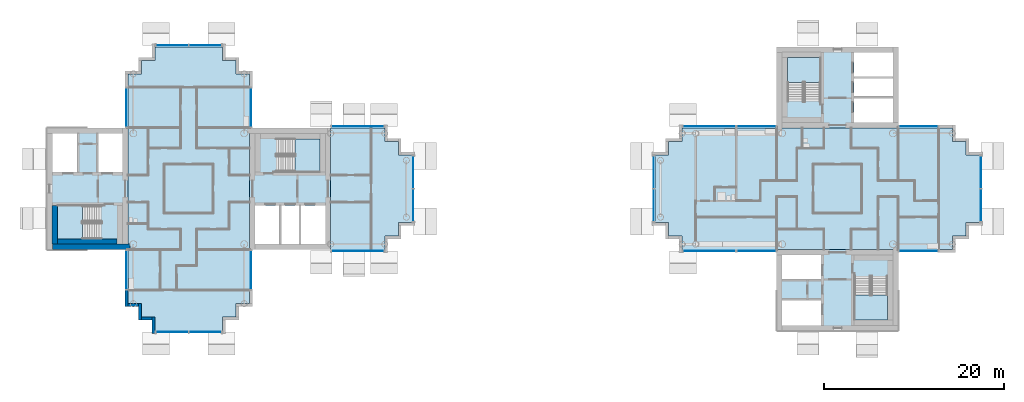
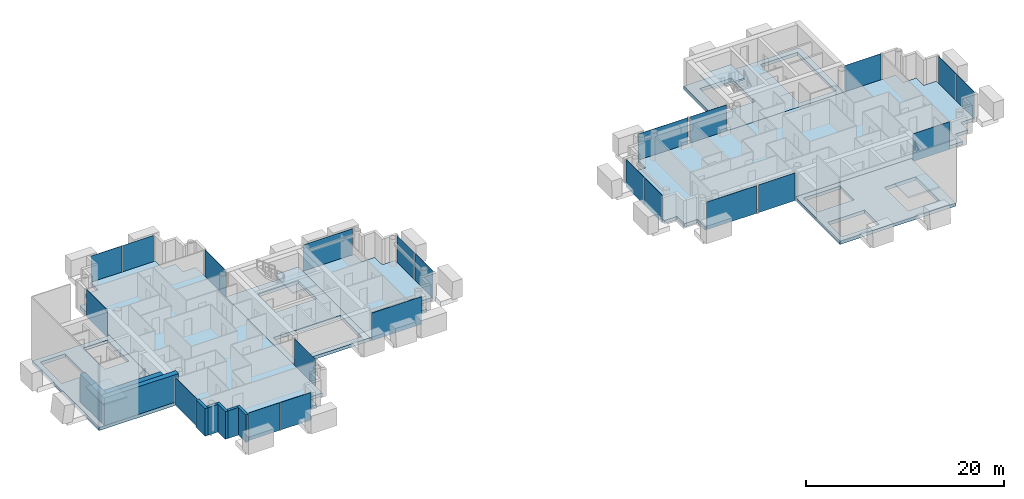
# One storey, part 5 of 18: 22 plates, 11 slabs, 8 walls, 21 elements without a shape of their own.
"""IFC4 building model written with IfcOpenShell, lengths in metres."""

from ifc_helpers import new_model, si_unit, direction, frame, frame_2d, origin, origin_2d, place, context, subcontext, project, spatial, polyline, rectangle, outline, extrude, material, layer, layer_set, type_object, element, aggregate, save


model = new_model("IFC4")

# Units and contexts
model_context = context("Model", 3, precision=1e-05, world=origin(), true_north=direction((0.0, 1.0)))
body_context = subcontext(model_context, "Body", "Model", "MODEL_VIEW")
ifc_project = project(units=[si_unit("LENGTHUNIT", "METRE"), si_unit("AREAUNIT", "SQUARE_METRE"), si_unit("VOLUMEUNIT", "CUBIC_METRE"), si_unit("PLANEANGLEUNIT", "RADIAN"), si_unit("MASSUNIT", "GRAM", prefix="KILO")], contexts=[model_context])

# Site, building, storey
site_placement = place(None, origin())
site = spatial("IfcSite", under=ifc_project, at=site_placement, CompositionType="ELEMENT")
building_placement = place(site_placement, origin())
building = spatial("IfcBuilding", under=site, at=building_placement, Name="Ipe Terrace Towers", CompositionType="ELEMENT")
storey_placement = place(building_placement, frame((0.0, 0.0, 230.0)))
storey = spatial("IfcBuildingStorey", under=building, at=storey_placement, Name="L64", CompositionType="ELEMENT", Elevation=230.0)

# Slabs
ifc_material_1 = material(Name="Concrete C30/37", Category="concrete")
ifc_layer_1 = layer(ifc_material_1, 0.39990234375)
ifc_layer_set_1 = layer_set([ifc_layer_1], Name="CORE FLOOR SLAB 400 C30-37")
slab_type_1 = type_object("IfcSlabType", Name="CORE FLOOR SLAB 400 C30-37", PredefinedType="FLOOR", material=ifc_layer_set_1)
slab_1_placement = place(storey_placement, frame((0.0, 0.0, -0.39990234375)))
element("IfcSlab", 1, at=slab_1_placement, inside=storey, type_object=slab_type_1, Name="Core floor T1-C1", PredefinedType="FLOOR", context=body_context, shape_type="SweptSolid", body=[
    extrude(outline(polyline([(-29.25, -6.75), (-29.25, 6.75), (-20.25, 6.75), (-20.25, -6.75), (-29.25, -6.75)]), holes=[polyline([(-28.64990234375, -6.14990234375), (-20.85009765625, -6.14990234375), (-20.85009765625, -1.85009765625), (-28.64990234375, -1.85009765625), (-28.64990234375, -6.14990234375)]), polyline([(-26.199951171875, 5.550048828125), (-26.199951171875, 1.89990234375), (-21.449951171875, 1.89990234375), (-21.449951171875, 5.550048828125), (-26.199951171875, 5.550048828125)])]), origin(), (0.0, 0.0, 1.0), 0.39990234375),
])
slab_2_placement = place(storey_placement, frame((0.0, 0.0, -0.39990234375)))
element("IfcSlab", 2, at=slab_2_placement, inside=storey, type_object=slab_type_1, Name="Core floor T1-C2", PredefinedType="FLOOR", context=body_context, shape_type="SweptSolid", body=[
    extrude(outline(polyline([(-51.75, -6.75), (-51.75, 6.75), (-42.75, 6.75), (-42.75, -6.75), (-51.75, -6.75)]), holes=[polyline([(-45.800048828125, -1.89990234375), (-50.550048828125, -1.89990234375), (-50.550048828125, -5.550048828125), (-45.800048828125, -5.550048828125), (-45.800048828125, -1.89990234375)]), polyline([(-48.25, 1.85009765625), (-48.25, 6.14990234375), (-51.14990234375, 6.14990234375), (-51.14990234375, 1.85009765625), (-48.25, 1.85009765625)]), polyline([(-43.35009765625, 1.85009765625), (-43.35009765625, 6.14990234375), (-46.14990234375, 6.14990234375), (-46.14990234375, 1.85009765625), (-43.35009765625, 1.85009765625)])]), origin(), (0.0, 0.0, 1.0), 0.39990234375),
])
slab_3_placement = place(storey_placement, frame((0.0, 0.0, -0.39990234375)))
element("IfcSlab", 3, at=slab_3_placement, inside=storey, type_object=slab_type_1, Name="Core floor T2-C1", PredefinedType="FLOOR", context=body_context, shape_type="SweptSolid", body=[
    extrude(outline(polyline([(29.25, 6.75), (29.25, 15.75), (42.75, 15.75), (42.75, 6.75), (29.25, 6.75)]), holes=[polyline([(42.14990234375, 7.35009765625), (42.14990234375, 15.14990234375), (37.85009765625, 15.14990234375), (37.85009765625, 7.35009765625), (42.14990234375, 7.35009765625)]), polyline([(30.449951171875, 9.800048828125), (34.10009765625, 9.800048828125), (34.10009765625, 14.550048828125), (30.449951171875, 14.550048828125), (30.449951171875, 9.800048828125)])]), origin(), (0.0, 0.0, 1.0), 0.39990234375),
])
slab_4_placement = place(storey_placement, frame((0.0, 0.0, -0.39990234375)))
element("IfcSlab", 4, at=slab_4_placement, inside=storey, type_object=slab_type_1, Name="Core floor T2-C2", PredefinedType="FLOOR", context=body_context, shape_type="SweptSolid", body=[
    extrude(outline(polyline([(29.25, -15.75), (29.25, -6.75), (42.75, -6.75), (42.75, -15.75), (29.25, -15.75)]), holes=[polyline([(29.85009765625, -12.25), (29.85009765625, -15.14990234375), (34.14990234375, -15.14990234375), (34.14990234375, -12.25), (29.85009765625, -12.25)]), polyline([(41.550048828125, -9.800048828125), (37.89990234375, -9.800048828125), (37.89990234375, -14.550048828125), (41.550048828125, -14.550048828125), (41.550048828125, -9.800048828125)]), polyline([(34.14990234375, -7.35009765625), (29.85009765625, -7.35009765625), (29.85009765625, -10.14990234375), (34.14990234375, -10.14990234375), (34.14990234375, -7.35009765625)])]), origin(), (0.0, 0.0, 1.0), 0.39990234375),
])

# Stair, slab
ifc_material_2 = material(Name="Concrete C30/37", Category="concrete")
stair_type = type_object("IfcStairType", Name="Protected exit stair", PredefinedType="HALF_TURN_STAIR", material=ifc_material_2)
stair_1_placement = place(storey_placement, origin())
stair_1 = element("IfcStair", 5, at=stair_1_placement, inside=storey, type_object=stair_type, Name="L64 Exit stair T1-C1", PredefinedType="HALF_TURN_STAIR")
ifc_material_3 = material(Name="Concrete C30/37", Category="concrete")
ifc_layer_2 = layer(ifc_material_3, 0.199951171875)
ifc_layer_set_2 = layer_set([ifc_layer_2], Name="Exit stair landing 200")
slab_type_2 = type_object("IfcSlabType", Name="Exit stair landing 200", PredefinedType="LANDING", material=ifc_layer_set_2)
slab_5_placement = place(storey_placement, frame((0.0, 0.0, 1.5)))
slab_5 = element("IfcSlab", 6, at=slab_5_placement, type_object=slab_type_2, Name="T1-ST1 landing 1", PredefinedType="LANDING", context=body_context, shape_type="SweptSolid", body=[
    extrude(outline(polyline([(-24.219970703125, 1.89990234375), (-21.449951171875, 1.89990234375), (-21.449951171875, 5.550048828125), (-24.219970703125, 5.550048828125), (-24.219970703125, 1.89990234375)])), origin(), (0.0, 0.0, 1.0), 0.199951171875),
])
aggregate(stair_1, [slab_5])

stair_2_placement = place(storey_placement, origin())
stair_2 = element("IfcStair", 7, at=stair_2_placement, inside=storey, type_object=stair_type, Name="L64 Exit stair T1-C2", PredefinedType="HALF_TURN_STAIR")
slab_6_placement = place(storey_placement, frame((0.0, 0.0, 1.5)))
slab_6 = element("IfcSlab", 8, at=slab_6_placement, type_object=slab_type_2, Name="T1-ST2 landing 1", PredefinedType="LANDING", context=body_context, shape_type="SweptSolid", body=[
    extrude(outline(polyline([(-47.780029296875, -1.89990234375), (-50.550048828125, -1.89990234375), (-50.550048828125, -5.550048828125), (-47.780029296875, -5.550048828125), (-47.780029296875, -1.89990234375)])), origin(), (0.0, 0.0, 1.0), 0.199951171875),
])
aggregate(stair_2, [slab_6])

stair_3_placement = place(storey_placement, origin())
stair_3 = element("IfcStair", 9, at=stair_3_placement, inside=storey, type_object=stair_type, Name="L64 Exit stair T2-C1", PredefinedType="HALF_TURN_STAIR")
slab_7_placement = place(storey_placement, frame((0.0, 0.0, 1.5)))
slab_7 = element("IfcSlab", 10, at=slab_7_placement, type_object=slab_type_2, Name="T2-ST1 landing 1", PredefinedType="LANDING", context=body_context, shape_type="SweptSolid", body=[
    extrude(outline(polyline([(34.10009765625, 11.780029296875), (34.10009765625, 14.550048828125), (30.449951171875, 14.550048828125), (30.449951171875, 11.780029296875), (34.10009765625, 11.780029296875)])), origin(), (0.0, 0.0, 1.0), 0.199951171875),
])
aggregate(stair_3, [slab_7])

stair_4_placement = place(storey_placement, origin())
stair_4 = element("IfcStair", 11, at=stair_4_placement, inside=storey, type_object=stair_type, Name="L64 Exit stair T2-C2", PredefinedType="HALF_TURN_STAIR")
slab_8_placement = place(storey_placement, frame((0.0, 0.0, 1.5)))
slab_8 = element("IfcSlab", 12, at=slab_8_placement, type_object=slab_type_2, Name="T2-ST2 landing 1", PredefinedType="LANDING", context=body_context, shape_type="SweptSolid", body=[
    extrude(outline(polyline([(37.89990234375, -11.780029296875), (37.89990234375, -14.550048828125), (41.550048828125, -14.550048828125), (41.550048828125, -11.780029296875), (37.89990234375, -11.780029296875)])), origin(), (0.0, 0.0, 1.0), 0.199951171875),
])
aggregate(stair_4, [slab_8])

# Slabs
ifc_material_4 = material(Name="Concrete C40/50", Category="concrete")
ifc_layer_3 = layer(ifc_material_4, 0.39990234375)
ifc_layer_set_3 = layer_set([ifc_layer_3], Name="FLAT PLATE SLAB 400 C40-50")
slab_type_3 = type_object("IfcSlabType", Name="FLAT PLATE SLAB 400 C40-50", PredefinedType="FLOOR", material=ifc_layer_set_3)
slab_9_placement = place(storey_placement, frame((0.0, 0.0, -0.39990234375)))
element("IfcSlab", 13, at=slab_9_placement, inside=storey, type_object=slab_type_3, Name="Slab T1-FS-Z41", PredefinedType="FLOOR", context=body_context, shape_type="SweptSolid", body=[
    extrude(outline(polyline([(-30.75, -12.75), (-30.75, -14.25), (-32.25, -14.25), (-32.25, -15.75), (-39.75, -15.75), (-39.75, -14.25), (-41.25, -14.25), (-41.25, -12.75), (-42.75, -12.75), (-42.75, -6.75), (-42.75, 6.75), (-42.75, 12.75), (-41.25, 12.75), (-41.25, 14.25), (-39.75, 14.25), (-39.75, 15.75), (-32.25, 15.75), (-32.25, 14.25), (-30.75, 14.25), (-30.75, 12.75), (-29.25, 12.75), (-29.25, 6.75), (-29.25, -6.75), (-29.25, -12.75), (-30.75, -12.75)])), origin(), (0.0, 0.0, 1.0), 0.39990234375),
])
slab_10_placement = place(storey_placement, frame((0.0, 0.0, -0.39990234375)))
element("IfcSlab", 14, at=slab_10_placement, inside=storey, type_object=slab_type_3, Name="Slab T1-FS-Z42", PredefinedType="FLOOR", context=body_context, shape_type="SweptSolid", body=[
    extrude(outline(polyline([(-14.25, 5.25), (-12.75, 5.25), (-12.75, 3.75), (-11.25, 3.75), (-11.25, -3.75), (-12.75, -3.75), (-12.75, -5.25), (-14.25, -5.25), (-14.25, -6.75), (-20.25, -6.75), (-20.25, 6.75), (-14.25, 6.75), (-14.25, 5.25)])), origin(), (0.0, 0.0, 1.0), 0.39990234375),
])
slab_11_placement = place(storey_placement, frame((0.0, 0.0, -0.39990234375)))
element("IfcSlab", 15, at=slab_11_placement, inside=storey, type_object=slab_type_3, Name="Slab T2-FS-Z41", PredefinedType="FLOOR", context=body_context, shape_type="SweptSolid", body=[
    extrude(outline(polyline([(48.75, 5.25), (50.25, 5.25), (50.25, 3.75), (51.75, 3.75), (51.75, -3.75), (50.25, -3.75), (50.25, -5.25), (48.75, -5.25), (48.75, -6.75), (42.75, -6.75), (29.25, -6.75), (18.75, -6.75), (18.75, -5.25), (17.25, -5.25), (17.25, -3.75), (15.75, -3.75), (15.75, 3.75), (17.25, 3.75), (17.25, 5.25), (18.75, 5.25), (18.75, 6.75), (29.25, 6.75), (42.75, 6.75), (48.75, 6.75), (48.75, 5.25)])), origin(), (0.0, 0.0, 1.0), 0.39990234375),
])

# Curtain wall, plate
ifc_material_5 = material(Name="Aluminium alloy 6063-T6", Category="aluminium")
ifc_layer_4 = layer(ifc_material_5, 0.320068359375)
ifc_layer_set_4 = layer_set([ifc_layer_4], Name="TOWER UNITISED CURTAIN WALL")
curtain_wall_type = type_object("IfcCurtainWallType", Name="TOWER UNITISED CURTAIN WALL", PredefinedType="NOTDEFINED", material=ifc_layer_set_4)
curtain_wall_1_placement = place(storey_placement, origin())
curtain_wall_1 = element("IfcCurtainWall", 16, at=curtain_wall_1_placement, inside=storey, type_object=curtain_wall_type, Name="T1-CW-L64-02a curtain wall", PredefinedType="NOTDEFINED")
ifc_material_6 = material(Name="Glass, clear laminated", Category="glass")
ifc_layer_5 = layer(ifc_material_6, 0.031982421875)
ifc_layer_set_5 = layer_set([ifc_layer_5], Name="TOWER UNITISED GLASS PANEL 32")
plate_type = type_object("IfcPlateType", Name="TOWER UNITISED GLASS PANEL 32", PredefinedType="CURTAIN_PANEL", material=ifc_layer_set_5)
plate_1_placement = place(storey_placement, frame((-42.909912109375, -9.0, -0.300048828125), z_axis=(0.0, 0.0, 1.0), x_axis=(0.0, -1.0, 0.0)))
plate_1 = element("IfcPlate", 17, at=plate_1_placement, type_object=plate_type, Name="T1-CW-L64-02a panel 1", PredefinedType="CURTAIN_PANEL", context=body_context, shape_type="SweptSolid", body=[
    extrude(rectangle(XDim=4.260009765625, YDim=0.031982421875, at=origin_2d()), origin(), (0.0, 0.0, 1.0), 3.39990234375),
])
aggregate(curtain_wall_1, [plate_1])

# Curtain wall, plates
curtain_wall_2_placement = place(storey_placement, origin())
curtain_wall_2 = element("IfcCurtainWall", 18, at=curtain_wall_2_placement, inside=storey, type_object=curtain_wall_type, Name="T1-CW-L64-08a curtain wall", PredefinedType="NOTDEFINED")
plate_2_placement = place(storey_placement, frame((-37.831298828125, -15.909912109375, -0.300048828125), z_axis=(0.0, 0.0, 1.0), x_axis=(1.0, 0.0, 0.0)))
plate_2 = element("IfcPlate", 19, at=plate_2_placement, type_object=plate_type, Name="T1-CW-L64-08a panel 1", PredefinedType="CURTAIN_PANEL", context=body_context, shape_type="SweptSolid", body=[
    extrude(rectangle(XDim=3.597412109375, YDim=0.031982421875, at=origin_2d()), origin(), (0.0, 0.0, 1.0), 3.39990234375),
])
plate_3_placement = place(storey_placement, frame((-34.168701171875, -15.909912109375, -0.300048828125), z_axis=(0.0, 0.0, 1.0), x_axis=(1.0, 0.0, 0.0)))
plate_3 = element("IfcPlate", 20, at=plate_3_placement, type_object=plate_type, Name="T1-CW-L64-08a panel 2", PredefinedType="CURTAIN_PANEL", context=body_context, shape_type="SweptSolid", body=[
    extrude(rectangle(XDim=3.597412109375, YDim=0.031982421875, at=origin_2d()), origin(), (0.0, 0.0, 1.0), 3.39990234375),
])
aggregate(curtain_wall_2, [plate_2, plate_3])

# Curtain wall, plate
curtain_wall_3_placement = place(storey_placement, origin())
curtain_wall_3 = element("IfcCurtainWall", 21, at=curtain_wall_3_placement, inside=storey, type_object=curtain_wall_type, Name="T1-CW-L64-14a curtain wall", PredefinedType="NOTDEFINED")
plate_4_placement = place(storey_placement, frame((-29.090087890625, -9.0, -0.300048828125), z_axis=(0.0, 0.0, 1.0), x_axis=(0.0, 1.0, 0.0)))
plate_4 = element("IfcPlate", 22, at=plate_4_placement, type_object=plate_type, Name="T1-CW-L64-14a panel 1", PredefinedType="CURTAIN_PANEL", context=body_context, shape_type="SweptSolid", body=[
    extrude(rectangle(XDim=4.260009765625, YDim=0.031982421875, at=origin_2d()), origin(), (0.0, 0.0, 1.0), 3.39990234375),
])
aggregate(curtain_wall_3, [plate_4])

curtain_wall_4_placement = place(storey_placement, origin())
curtain_wall_4 = element("IfcCurtainWall", 23, at=curtain_wall_4_placement, inside=storey, type_object=curtain_wall_type, Name="T1-CW-L64-16b curtain wall", PredefinedType="NOTDEFINED")
plate_5_placement = place(storey_placement, frame((-17.24951171875, -6.909912109375, -0.300048828125), z_axis=(0.0, 0.0, 1.0), x_axis=(1.0, 0.0, 0.0)))
plate_5 = element("IfcPlate", 24, at=plate_5_placement, type_object=plate_type, Name="T1-CW-L64-16b panel 1", PredefinedType="CURTAIN_PANEL", context=body_context, shape_type="SweptSolid", body=[
    extrude(rectangle(XDim=5.759033203125, YDim=0.031982421875, at=origin_2d()), origin(), (0.0, 0.0, 1.0), 3.39990234375),
])
aggregate(curtain_wall_4, [plate_5])

# Curtain wall, plates
curtain_wall_5_placement = place(storey_placement, origin())
curtain_wall_5 = element("IfcCurtainWall", 25, at=curtain_wall_5_placement, inside=storey, type_object=curtain_wall_type, Name="T1-CW-L64-21a curtain wall", PredefinedType="NOTDEFINED")
plate_6_placement = place(storey_placement, frame((-11.090087890625, -1.831298828125, -0.300048828125), z_axis=(0.0, 0.0, 1.0), x_axis=(0.0, 1.0, 0.0)))
plate_6 = element("IfcPlate", 26, at=plate_6_placement, type_object=plate_type, Name="T1-CW-L64-21a panel 1", PredefinedType="CURTAIN_PANEL", context=body_context, shape_type="SweptSolid", body=[
    extrude(rectangle(XDim=3.597412109375, YDim=0.031982421875, at=origin_2d()), origin(), (0.0, 0.0, 1.0), 3.39990234375),
])
plate_7_placement = place(storey_placement, frame((-11.090087890625, 1.831298828125, -0.300048828125), z_axis=(0.0, 0.0, 1.0), x_axis=(0.0, 1.0, 0.0)))
plate_7 = element("IfcPlate", 27, at=plate_7_placement, type_object=plate_type, Name="T1-CW-L64-21a panel 2", PredefinedType="CURTAIN_PANEL", context=body_context, shape_type="SweptSolid", body=[
    extrude(rectangle(XDim=3.597412109375, YDim=0.031982421875, at=origin_2d()), origin(), (0.0, 0.0, 1.0), 3.39990234375),
])
aggregate(curtain_wall_5, [plate_6, plate_7])

# Curtain wall, plate
curtain_wall_6_placement = place(storey_placement, origin())
curtain_wall_6 = element("IfcCurtainWall", 28, at=curtain_wall_6_placement, inside=storey, type_object=curtain_wall_type, Name="T1-CW-L64-26a curtain wall", PredefinedType="NOTDEFINED")
plate_8_placement = place(storey_placement, frame((-17.24951171875, 6.909912109375, -0.300048828125), z_axis=(0.0, 0.0, 1.0), x_axis=(-1.0, 0.0, 0.0)))
plate_8 = element("IfcPlate", 29, at=plate_8_placement, type_object=plate_type, Name="T1-CW-L64-26a panel 1", PredefinedType="CURTAIN_PANEL", context=body_context, shape_type="SweptSolid", body=[
    extrude(rectangle(XDim=5.759033203125, YDim=0.031982421875, at=origin_2d()), origin(), (0.0, 0.0, 1.0), 3.39990234375),
])
aggregate(curtain_wall_6, [plate_8])

curtain_wall_7_placement = place(storey_placement, origin())
curtain_wall_7 = element("IfcCurtainWall", 30, at=curtain_wall_7_placement, inside=storey, type_object=curtain_wall_type, Name="T1-CW-L64-28a curtain wall", PredefinedType="NOTDEFINED")
plate_9_placement = place(storey_placement, frame((-29.090087890625, 9.0, -0.300048828125), z_axis=(0.0, 0.0, 1.0), x_axis=(0.0, 1.0, 0.0)))
plate_9 = element("IfcPlate", 31, at=plate_9_placement, type_object=plate_type, Name="T1-CW-L64-28a panel 1", PredefinedType="CURTAIN_PANEL", context=body_context, shape_type="SweptSolid", body=[
    extrude(rectangle(XDim=4.260009765625, YDim=0.031982421875, at=origin_2d()), origin(), (0.0, 0.0, 1.0), 3.39990234375),
])
aggregate(curtain_wall_7, [plate_9])

# Curtain wall, plates
curtain_wall_8_placement = place(storey_placement, origin())
curtain_wall_8 = element("IfcCurtainWall", 32, at=curtain_wall_8_placement, inside=storey, type_object=curtain_wall_type, Name="T1-CW-L64-34a curtain wall", PredefinedType="NOTDEFINED")
plate_10_placement = place(storey_placement, frame((-34.168701171875, 15.909912109375, -0.300048828125), z_axis=(0.0, 0.0, 1.0), x_axis=(-1.0, 0.0, 0.0)))
plate_10 = element("IfcPlate", 33, at=plate_10_placement, type_object=plate_type, Name="T1-CW-L64-34a panel 1", PredefinedType="CURTAIN_PANEL", context=body_context, shape_type="SweptSolid", body=[
    extrude(rectangle(XDim=3.597412109375, YDim=0.031982421875, at=origin_2d()), origin(), (0.0, 0.0, 1.0), 3.39990234375),
])
plate_11_placement = place(storey_placement, frame((-37.831298828125, 15.909912109375, -0.300048828125), z_axis=(0.0, 0.0, 1.0), x_axis=(-1.0, 0.0, 0.0)))
plate_11 = element("IfcPlate", 34, at=plate_11_placement, type_object=plate_type, Name="T1-CW-L64-34a panel 2", PredefinedType="CURTAIN_PANEL", context=body_context, shape_type="SweptSolid", body=[
    extrude(rectangle(XDim=3.597412109375, YDim=0.031982421875, at=origin_2d()), origin(), (0.0, 0.0, 1.0), 3.39990234375),
])
aggregate(curtain_wall_8, [plate_10, plate_11])

# Curtain wall, plate
curtain_wall_9_placement = place(storey_placement, origin())
curtain_wall_9 = element("IfcCurtainWall", 35, at=curtain_wall_9_placement, inside=storey, type_object=curtain_wall_type, Name="T1-CW-L64-40a curtain wall", PredefinedType="NOTDEFINED")
plate_12_placement = place(storey_placement, frame((-42.909912109375, 9.0, -0.300048828125), z_axis=(0.0, 0.0, 1.0), x_axis=(0.0, -1.0, 0.0)))
plate_12 = element("IfcPlate", 36, at=plate_12_placement, type_object=plate_type, Name="T1-CW-L64-40a panel 1", PredefinedType="CURTAIN_PANEL", context=body_context, shape_type="SweptSolid", body=[
    extrude(rectangle(XDim=4.260009765625, YDim=0.031982421875, at=origin_2d()), origin(), (0.0, 0.0, 1.0), 3.39990234375),
])
aggregate(curtain_wall_9, [plate_12])

curtain_wall_10_placement = place(storey_placement, origin())
curtain_wall_10 = element("IfcCurtainWall", 37, at=curtain_wall_10_placement, inside=storey, type_object=curtain_wall_type, Name="T2-CW-L64-02a curtain wall", PredefinedType="NOTDEFINED")
plate_13_placement = place(storey_placement, frame((45.0, -6.909912109375, -0.300048828125), z_axis=(0.0, 0.0, 1.0), x_axis=(1.0, 0.0, 0.0)))
plate_13 = element("IfcPlate", 38, at=plate_13_placement, type_object=plate_type, Name="T2-CW-L64-02a panel 1", PredefinedType="CURTAIN_PANEL", context=body_context, shape_type="SweptSolid", body=[
    extrude(rectangle(XDim=4.260009765625, YDim=0.031982421875, at=origin_2d()), origin(), (0.0, 0.0, 1.0), 3.39990234375),
])
aggregate(curtain_wall_10, [plate_13])

# Curtain wall, plates
curtain_wall_11_placement = place(storey_placement, origin())
curtain_wall_11 = element("IfcCurtainWall", 39, at=curtain_wall_11_placement, inside=storey, type_object=curtain_wall_type, Name="T2-CW-L64-08a curtain wall", PredefinedType="NOTDEFINED")
plate_14_placement = place(storey_placement, frame((51.909912109375, -1.831298828125, -0.300048828125), z_axis=(0.0, 0.0, 1.0), x_axis=(0.0, 1.0, 0.0)))
plate_14 = element("IfcPlate", 40, at=plate_14_placement, type_object=plate_type, Name="T2-CW-L64-08a panel 1", PredefinedType="CURTAIN_PANEL", context=body_context, shape_type="SweptSolid", body=[
    extrude(rectangle(XDim=3.597412109375, YDim=0.031982421875, at=origin_2d()), origin(), (0.0, 0.0, 1.0), 3.39990234375),
])
plate_15_placement = place(storey_placement, frame((51.909912109375, 1.831298828125, -0.300048828125), z_axis=(0.0, 0.0, 1.0), x_axis=(0.0, 1.0, 0.0)))
plate_15 = element("IfcPlate", 41, at=plate_15_placement, type_object=plate_type, Name="T2-CW-L64-08a panel 2", PredefinedType="CURTAIN_PANEL", context=body_context, shape_type="SweptSolid", body=[
    extrude(rectangle(XDim=3.597412109375, YDim=0.031982421875, at=origin_2d()), origin(), (0.0, 0.0, 1.0), 3.39990234375),
])
aggregate(curtain_wall_11, [plate_14, plate_15])

# Curtain wall, plate
curtain_wall_12_placement = place(storey_placement, origin())
curtain_wall_12 = element("IfcCurtainWall", 42, at=curtain_wall_12_placement, inside=storey, type_object=curtain_wall_type, Name="T2-CW-L64-14a curtain wall", PredefinedType="NOTDEFINED")
plate_16_placement = place(storey_placement, frame((45.0, 6.909912109375, -0.300048828125), z_axis=(0.0, 0.0, 1.0), x_axis=(-1.0, 0.0, 0.0)))
plate_16 = element("IfcPlate", 43, at=plate_16_placement, type_object=plate_type, Name="T2-CW-L64-14a panel 1", PredefinedType="CURTAIN_PANEL", context=body_context, shape_type="SweptSolid", body=[
    extrude(rectangle(XDim=4.260009765625, YDim=0.031982421875, at=origin_2d()), origin(), (0.0, 0.0, 1.0), 3.39990234375),
])
aggregate(curtain_wall_12, [plate_16])

curtain_wall_13_placement = place(storey_placement, origin())
curtain_wall_13 = element("IfcCurtainWall", 44, at=curtain_wall_13_placement, inside=storey, type_object=curtain_wall_type, Name="T2-CW-L64-20a curtain wall", PredefinedType="NOTDEFINED")
plate_17_placement = place(storey_placement, frame((27.0, 6.909912109375, -0.300048828125), z_axis=(0.0, 0.0, 1.0), x_axis=(-1.0, 0.0, 0.0)))
plate_17 = element("IfcPlate", 45, at=plate_17_placement, type_object=plate_type, Name="T2-CW-L64-20a panel 1", PredefinedType="CURTAIN_PANEL", context=body_context, shape_type="SweptSolid", body=[
    extrude(rectangle(XDim=4.260009765625, YDim=0.031982421875, at=origin_2d()), origin(), (0.0, 0.0, 1.0), 3.39990234375),
])
aggregate(curtain_wall_13, [plate_17])

curtain_wall_14_placement = place(storey_placement, origin())
curtain_wall_14 = element("IfcCurtainWall", 46, at=curtain_wall_14_placement, inside=storey, type_object=curtain_wall_type, Name="T2-CW-L64-21a curtain wall", PredefinedType="NOTDEFINED")
plate_18_placement = place(storey_placement, frame((21.75, 6.909912109375, -0.300048828125), z_axis=(0.0, 0.0, 1.0), x_axis=(-1.0, 0.0, 0.0)))
plate_18 = element("IfcPlate", 47, at=plate_18_placement, type_object=plate_type, Name="T2-CW-L64-21a panel 1", PredefinedType="CURTAIN_PANEL", context=body_context, shape_type="SweptSolid", body=[
    extrude(rectangle(XDim=5.760009765625, YDim=0.031982421875, at=origin_2d()), origin(), (0.0, 0.0, 1.0), 3.39990234375),
])
aggregate(curtain_wall_14, [plate_18])

# Curtain wall, plates
curtain_wall_15_placement = place(storey_placement, origin())
curtain_wall_15 = element("IfcCurtainWall", 48, at=curtain_wall_15_placement, inside=storey, type_object=curtain_wall_type, Name="T2-CW-L64-26a curtain wall", PredefinedType="NOTDEFINED")
plate_19_placement = place(storey_placement, frame((15.590087890625, 1.831298828125, -0.300048828125), z_axis=(0.0, 0.0, 1.0), x_axis=(0.0, -1.0, 0.0)))
plate_19 = element("IfcPlate", 49, at=plate_19_placement, type_object=plate_type, Name="T2-CW-L64-26a panel 1", PredefinedType="CURTAIN_PANEL", context=body_context, shape_type="SweptSolid", body=[
    extrude(rectangle(XDim=3.597412109375, YDim=0.031982421875, at=origin_2d()), origin(), (0.0, 0.0, 1.0), 3.39990234375),
])
plate_20_placement = place(storey_placement, frame((15.590087890625, -1.831298828125, -0.300048828125), z_axis=(0.0, 0.0, 1.0), x_axis=(0.0, -1.0, 0.0)))
plate_20 = element("IfcPlate", 50, at=plate_20_placement, type_object=plate_type, Name="T2-CW-L64-26a panel 2", PredefinedType="CURTAIN_PANEL", context=body_context, shape_type="SweptSolid", body=[
    extrude(rectangle(XDim=3.597412109375, YDim=0.031982421875, at=origin_2d()), origin(), (0.0, 0.0, 1.0), 3.39990234375),
])
aggregate(curtain_wall_15, [plate_19, plate_20])

# Curtain wall, plate
curtain_wall_16_placement = place(storey_placement, origin())
curtain_wall_16 = element("IfcCurtainWall", 51, at=curtain_wall_16_placement, inside=storey, type_object=curtain_wall_type, Name="T2-CW-L64-31a curtain wall", PredefinedType="NOTDEFINED")
plate_21_placement = place(storey_placement, frame((21.75, -6.909912109375, -0.300048828125), z_axis=(0.0, 0.0, 1.0), x_axis=(1.0, 0.0, 0.0)))
plate_21 = element("IfcPlate", 52, at=plate_21_placement, type_object=plate_type, Name="T2-CW-L64-31a panel 1", PredefinedType="CURTAIN_PANEL", context=body_context, shape_type="SweptSolid", body=[
    extrude(rectangle(XDim=5.760009765625, YDim=0.031982421875, at=origin_2d()), origin(), (0.0, 0.0, 1.0), 3.39990234375),
])
aggregate(curtain_wall_16, [plate_21])

curtain_wall_17_placement = place(storey_placement, origin())
curtain_wall_17 = element("IfcCurtainWall", 53, at=curtain_wall_17_placement, inside=storey, type_object=curtain_wall_type, Name="T2-CW-L64-32a curtain wall", PredefinedType="NOTDEFINED")
plate_22_placement = place(storey_placement, frame((27.0, -6.909912109375, -0.300048828125), z_axis=(0.0, 0.0, 1.0), x_axis=(1.0, 0.0, 0.0)))
plate_22 = element("IfcPlate", 54, at=plate_22_placement, type_object=plate_type, Name="T2-CW-L64-32a panel 1", PredefinedType="CURTAIN_PANEL", context=body_context, shape_type="SweptSolid", body=[
    extrude(rectangle(XDim=4.260009765625, YDim=0.031982421875, at=origin_2d()), origin(), (0.0, 0.0, 1.0), 3.39990234375),
])
aggregate(curtain_wall_17, [plate_22])

# Walls
ifc_material_7 = material(Name="Concrete C40/50 with buff precast cladding", Category="concrete")
ifc_layer_6 = layer(ifc_material_7, 0.320068359375)
ifc_layer_set_6 = layer_set([ifc_layer_6], Name="BUFF CLADDING WALL 320")
wall_type_1 = type_object("IfcWallType", Name="BUFF CLADDING WALL 320", PredefinedType="STANDARD", material=ifc_layer_set_6)
wall_1_placement = place(storey_placement, frame((-42.909912109375, -11.25, -0.300048828125), z_axis=(0.0, 0.0, 1.0), x_axis=(0.0, -1.0, 0.0)))
element("IfcWall", 55, at=wall_1_placement, inside=storey, type_object=wall_type_1, Name="T1-W-L64-03a wall", PredefinedType="STANDARD", context=body_context, shape_type="SweptSolid", body=[
    extrude(rectangle(XDim=1.820068359375, YDim=0.320068359375, at=frame_2d((0.91015625, 0.0))), origin(), (0.0, 0.0, 1.0), 3.400146484375),
])
wall_2_placement = place(storey_placement, frame((-42.75, -12.909912109375, -0.300048828125), z_axis=(0.0, 0.0, 1.0), x_axis=(1.0, 0.0, 0.0)))
element("IfcWall", 56, at=wall_2_placement, inside=storey, type_object=wall_type_1, Name="T1-W-L64-04a wall", PredefinedType="STANDARD", context=body_context, shape_type="SweptSolid", body=[
    extrude(rectangle(XDim=1.179931640625, YDim=0.320068359375, at=frame_2d((0.58984375, 0.0))), origin(), (0.0, 0.0, 1.0), 3.400146484375),
])
wall_3_placement = place(storey_placement, frame((-41.409912109375, -12.75, -0.300048828125), z_axis=(0.0, 0.0, 1.0), x_axis=(0.0, -1.0, 0.0)))
element("IfcWall", 57, at=wall_3_placement, inside=storey, type_object=wall_type_1, Name="T1-W-L64-05a wall", PredefinedType="STANDARD", context=body_context, shape_type="SweptSolid", body=[
    extrude(rectangle(XDim=1.820068359375, YDim=0.320068359375, at=frame_2d((0.91015625, 0.0))), origin(), (0.0, 0.0, 1.0), 3.400146484375),
])
wall_4_placement = place(storey_placement, frame((-41.25, -14.409912109375, -0.300048828125), z_axis=(0.0, 0.0, 1.0), x_axis=(1.0, 0.0, 0.0)))
element("IfcWall", 58, at=wall_4_placement, inside=storey, type_object=wall_type_1, Name="T1-W-L64-06a wall", PredefinedType="STANDARD", context=body_context, shape_type="SweptSolid", body=[
    extrude(rectangle(XDim=1.179931640625, YDim=0.320068359375, at=frame_2d((0.58984375, 0.0))), origin(), (0.0, 0.0, 1.0), 3.400146484375),
])
wall_5_placement = place(storey_placement, frame((-39.909912109375, -14.25, -0.300048828125), z_axis=(0.0, 0.0, 1.0), x_axis=(0.0, -1.0, 0.0)))
element("IfcWall", 59, at=wall_5_placement, inside=storey, type_object=wall_type_1, Name="T1-W-L64-07a wall", PredefinedType="STANDARD", context=body_context, shape_type="SweptSolid", body=[
    extrude(rectangle(XDim=1.820068359375, YDim=0.320068359375, at=frame_2d((0.91015625, 0.0))), origin(), (0.0, 0.0, 1.0), 3.400146484375),
])
ifc_material_8 = material(Name="Concrete C40/50", Category="concrete")
ifc_layer_7 = layer(ifc_material_8, 0.60009765625)
ifc_layer_set_7 = layer_set([ifc_layer_7], Name="RW600 CORE INFILL WALL 600 C40-50")
wall_type_2 = type_object("IfcWallType", Name="RW600 CORE INFILL WALL 600 C40-50", PredefinedType="SHEAR", material=ifc_layer_set_7)
wall_6_placement = place(storey_placement, frame((-50.85009765625, -1.85009765625, 0.0), z_axis=(0.0, 0.0, 1.0), x_axis=(0.0, -1.0, 0.0)))
element("IfcWall", 60, at=wall_6_placement, inside=storey, type_object=wall_type_2, Name="Core infill wall T1-C2-far", PredefinedType="SHEAR", context=body_context, shape_type="SweptSolid", body=[
    extrude(rectangle(XDim=4.2998046875, YDim=0.60009765625, at=frame_2d((2.14990234375, 0.0))), origin(), (0.0, 0.0, 1.0), 3.39990234375),
])
wall_7_placement = place(storey_placement, frame((-43.949951171875, -5.85009765625, 0.0), z_axis=(0.0, 0.0, 1.0), x_axis=(-1.0, 0.0, 0.0)))
element("IfcWall", 61, at=wall_7_placement, inside=storey, type_object=wall_type_2, Name="Core infill wall T1-C2-back", PredefinedType="SHEAR", context=body_context, shape_type="SweptSolid", body=[
    extrude(rectangle(XDim=6.60009765625, YDim=0.60009765625, at=frame_2d((3.300048828125, 0.0))), origin(), (0.0, 0.0, 1.0), 3.39990234375),
])
ifc_material_9 = material(Name="Concrete C40/50", Category="concrete")
ifc_layer_8 = layer(ifc_material_9, 0.60009765625)
ifc_layer_set_8 = layer_set([ifc_layer_8], Name="RW600 CORE WALL 600 C40-50")
wall_type_3 = type_object("IfcWallType", Name="RW600 CORE WALL 600 C40-50", PredefinedType="SHEAR", material=ifc_layer_set_8)
wall_8_placement = place(storey_placement, frame((-51.14990234375, -6.449951171875, 0.0), z_axis=(0.0, 0.0, 1.0), x_axis=(1.0, 0.0, 0.0)))
element("IfcWall", 62, at=wall_8_placement, inside=storey, type_object=wall_type_3, Name="Core wall T1-C2-Z4-W01", PredefinedType="SHEAR", context=body_context, shape_type="SweptSolid", body=[
    extrude(rectangle(XDim=8.64794921875, YDim=0.60009765625, at=frame_2d((4.323974609375, 0.0))), origin(), (0.0, 0.0, 1.0), 3.39990234375),
])

save(model, "model.ifc")
